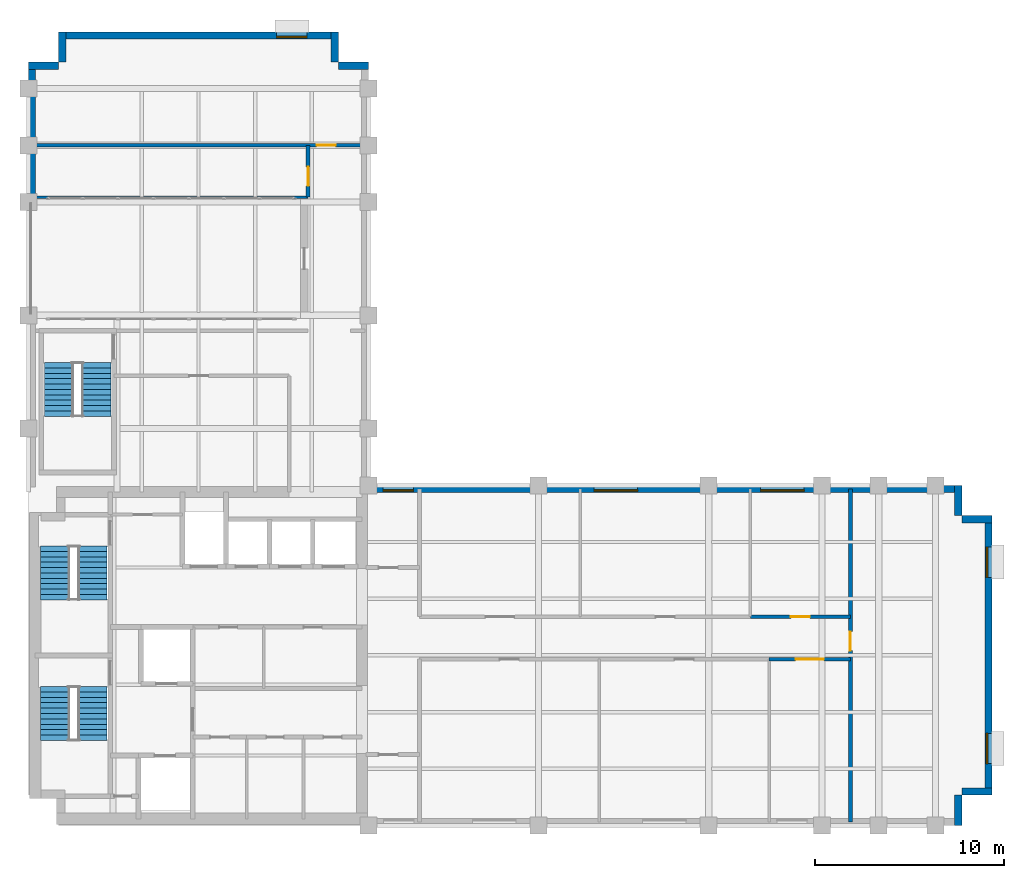
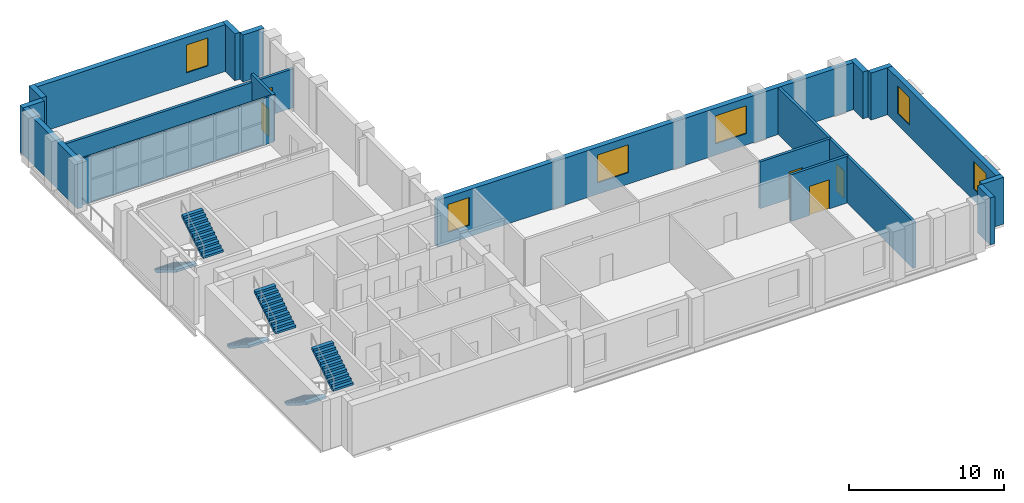
# One storey, part 10 of 11: 18 walls, 6 stair flights, 6 windows, 5 doors, 11 openings, 3 elements without a shape of their own.
"""IFC4 building model written with IfcOpenShell, lengths in metres."""

from ifc_helpers import new_model, si_unit, direction, frame, frame_2d, origin, place, context, subcontext, project, spatial, polyline, rectangle, outline, extrude, material, layer, layer_set, type_object, element, fill, aggregate, save


model = new_model("IFC4")

# Units and contexts
model_context = context("Model", 3, precision=1e-05, world=origin(), true_north=direction((0.0, 1.0)))
body_context = subcontext(model_context, "Body", "Model", "MODEL_VIEW")
ifc_project = project(units=[si_unit("LENGTHUNIT", "METRE"), si_unit("AREAUNIT", "SQUARE_METRE"), si_unit("VOLUMEUNIT", "CUBIC_METRE"), si_unit("PLANEANGLEUNIT", "RADIAN"), si_unit("MASSUNIT", "GRAM", prefix="KILO")], contexts=[model_context])

# Site, building, storey
site_placement = place(None, origin())
site = spatial("IfcSite", under=ifc_project, at=site_placement, CompositionType="ELEMENT")
building_placement = place(site_placement, origin())
building = spatial("IfcBuilding", under=site, at=building_placement, Name="Mawjdan Bourse Tower", CompositionType="ELEMENT")
storey_placement = place(building_placement, frame((0.0, 0.0, 191.699951171875)))
storey = spatial("IfcBuildingStorey", under=building, at=storey_placement, Name="L46", CompositionType="ELEMENT", Elevation=191.699951171875)

# Walls
ifc_material_1 = material(Name="Brick Masonry Terracotta Red", Category="masonry")
ifc_layer_1 = layer(ifc_material_1, 0.3798828125)
ifc_layer_set_1 = layer_set([ifc_layer_1], Name="Brick Masonry Terracotta Red")
wall_type_1 = type_object("IfcWallType", Name="WL-BRK-RED-380", PredefinedType="STANDARD", material=ifc_layer_set_1)
for number, where, z_axis, x_axis, name in (
    (1, (55.2099609375, 3.0, 0.0), (0.0, 0.0, 1.0), (0.0, 1.0, 0.0), "L46 Exterior Brick Wall 2"),
    (2, (55.39990234375, 4.7900390625, 0.0), (0.0, 0.0, 1.0), (1.0, 0.0, 0.0), "L46 Exterior Brick Wall 3"),
):
    element("IfcWall", number, at=place(storey_placement, frame(where, z_axis=z_axis, x_axis=x_axis)), inside=storey, type_object=wall_type_1, Name=name, PredefinedType="STANDARD", context=body_context, shape_type="SweptSolid", body=[
        extrude(rectangle(XDim=1.60009765625, YDim=0.3798828125, at=frame_2d((0.800048828125, 0.0))), origin(), (0.0, 0.0, 1.0), 3.699951171875),
    ])

# Wall, openings, windows
wall_1_placement = place(storey_placement, frame((56.81005859375, 4.60009765625, 0.0), z_axis=(0.0, 0.0, 1.0), x_axis=(0.0, 1.0, 0.0)))
wall_1 = element("IfcWall", 3, at=wall_1_placement, inside=storey, type_object=wall_type_1, Name="L46 Exterior Brick Wall 4", PredefinedType="STANDARD", context=body_context, shape_type="SweptSolid", body=[
    extrude(rectangle(XDim=14.7998046875, YDim=0.3798828125, at=frame_2d((7.39990234375, 0.0))), origin(), (0.0, 0.0, 1.0), 3.699951171875),
])
opening_1_placement = place(wall_1_placement, frame((1.666748046875, 0.0, 0.89990234375)))
opening_1 = element("IfcOpeningElement", 4, at=opening_1_placement, cuts=wall_1, Name="Opening W-L46-03", PredefinedType="OPENING", context=body_context, shape_type="SweptSolid", body=[
    extrude(rectangle(XDim=1.60009765625, YDim=2.199951171875, at=frame_2d((0.800048828125, 1.10009765625))), frame((0.0, 0.199951171875, 0.0), z_axis=(0.0, -1.0, 0.0), x_axis=(1.0, 0.0, 0.0)), (0.0, 0.0, 1.0), 0.39990234375),
])
opening_2_placement = place(wall_1_placement, frame((11.533203125, 0.0, 0.89990234375)))
opening_2 = element("IfcOpeningElement", 5, at=opening_2_placement, cuts=wall_1, Name="Opening W-L46-04", PredefinedType="OPENING", context=body_context, shape_type="SweptSolid", body=[
    extrude(rectangle(XDim=1.60009765625, YDim=2.199951171875, at=frame_2d((0.800048828125, 1.10009765625))), frame((0.0, 0.199951171875, 0.0), z_axis=(0.0, -1.0, 0.0), x_axis=(1.0, 0.0, 0.0)), (0.0, 0.0, 1.0), 0.39990234375),
])
ifc_material_2 = material(Name="Solar-Control Clear Double Glazing", Category="glass")
window_type_1 = type_object("IfcWindowType", Name="WN-Z3-1600", PartitioningType="SINGLE_PANEL", PredefinedType="WINDOW", material=ifc_material_2)
window_1_placement = place(opening_1_placement, origin())
window_1 = element("IfcWindow", 6, at=window_1_placement, inside=storey, type_object=window_type_1, Name="L46 Deep-Set Masonry Window W-L46-03", OverallHeight=2.199951171875, OverallWidth=1.60009765625, PartitioningType="SINGLE_PANEL", PredefinedType="WINDOW", context=body_context, shape_type="SweptSolid", body=[
    extrude(rectangle(XDim=1.60009765625, YDim=2.199951171875, at=frame_2d((0.800048828125, 1.10009765625))), frame((0.0, 0.110107421875, 0.0), z_axis=(0.0, -1.0, 0.0), x_axis=(1.0, 0.0, 0.0)), (0.0, 0.0, 1.0), 0.06005859375),
])
fill(opening_1, window_1)
window_2_placement = place(opening_2_placement, origin())
window_2 = element("IfcWindow", 7, at=window_2_placement, inside=storey, type_object=window_type_1, Name="L46 Deep-Set Masonry Window W-L46-04", OverallHeight=2.199951171875, OverallWidth=1.60009765625, PartitioningType="SINGLE_PANEL", PredefinedType="WINDOW", context=body_context, shape_type="SweptSolid", body=[
    extrude(rectangle(XDim=1.60009765625, YDim=2.199951171875, at=frame_2d((0.800048828125, 1.10009765625))), frame((0.0, 0.110107421875, 0.0), z_axis=(0.0, -1.0, 0.0), x_axis=(1.0, 0.0, 0.0)), (0.0, 0.0, 1.0), 0.06005859375),
])
fill(opening_2, window_2)

# Walls
for number, where, z_axis, x_axis, name in (
    (8, (57.0, 19.2099609375, 0.0), (0.0, 0.0, 1.0), (-1.0, 0.0, 0.0), "L46 Exterior Brick Wall 5"),
    (9, (55.2099609375, 19.39990234375, 0.0), (0.0, 0.0, 1.0), (0.0, 1.0, 0.0), "L46 Exterior Brick Wall 6"),
):
    element("IfcWall", number, at=place(storey_placement, frame(where, z_axis=z_axis, x_axis=x_axis)), inside=storey, type_object=wall_type_1, Name=name, PredefinedType="STANDARD", context=body_context, shape_type="SweptSolid", body=[
        extrude(rectangle(XDim=1.60009765625, YDim=0.3798828125, at=frame_2d((0.800048828125, 0.0))), origin(), (0.0, 0.0, 1.0), 3.699951171875),
    ])

# Wall, openings, windows
wall_2_placement = place(storey_placement, frame((55.39990234375, 20.81005859375, 0.0), z_axis=(0.0, 0.0, 1.0), x_axis=(-1.0, 0.0, 0.0)))
wall_2 = element("IfcWall", 10, at=wall_2_placement, inside=storey, type_object=wall_type_1, Name="L46 Exterior Brick Wall 7", PredefinedType="STANDARD", context=body_context, shape_type="SweptSolid", body=[
    extrude(rectangle(XDim=31.39990234375, YDim=0.3798828125, at=frame_2d((15.699951171875, 0.0))), origin(), (0.0, 0.0, 1.0), 3.699951171875),
])
opening_3_placement = place(wall_2_placement, frame((17.166748046875, 0.0, 0.89990234375)))
opening_3 = element("IfcOpeningElement", 11, at=opening_3_placement, cuts=wall_2, Name="Opening W-L46-05", PredefinedType="OPENING", context=body_context, shape_type="SweptSolid", body=[
    extrude(rectangle(XDim=2.300048828125, YDim=2.199951171875, at=frame_2d((1.14990234375, 1.10009765625))), frame((0.0, 0.199951171875, 0.0), z_axis=(0.0, -1.0, 0.0), x_axis=(1.0, 0.0, 0.0)), (0.0, 0.0, 1.0), 0.39990234375),
])
opening_4_placement = place(wall_2_placement, frame((29.03369140625, 0.0, 0.89990234375)))
opening_4 = element("IfcOpeningElement", 12, at=opening_4_placement, cuts=wall_2, Name="Opening W-L46-08", PredefinedType="OPENING", context=body_context, shape_type="SweptSolid", body=[
    extrude(rectangle(XDim=1.60009765625, YDim=2.199951171875, at=frame_2d((0.800048828125, 1.10009765625))), frame((0.0, 0.199951171875, 0.0), z_axis=(0.0, -1.0, 0.0), x_axis=(1.0, 0.0, 0.0)), (0.0, 0.0, 1.0), 0.39990234375),
])
opening_5_placement = place(wall_2_placement, frame((8.3544921875, 0.0, 0.89990234375)))
opening_5 = element("IfcOpeningElement", 13, at=opening_5_placement, cuts=wall_2, Name="Opening W-L46-10", PredefinedType="OPENING", context=body_context, shape_type="SweptSolid", body=[
    extrude(rectangle(XDim=2.300048828125, YDim=2.199951171875, at=frame_2d((1.14990234375, 1.10009765625))), frame((0.0, 0.199951171875, 0.0), z_axis=(0.0, -1.0, 0.0), x_axis=(1.0, 0.0, 0.0)), (0.0, 0.0, 1.0), 0.39990234375),
])
window_3_placement = place(opening_4_placement, origin())
window_3 = element("IfcWindow", 14, at=window_3_placement, inside=storey, type_object=window_type_1, Name="L46 Deep-Set Masonry Window W-L46-08", OverallHeight=2.199951171875, OverallWidth=1.60009765625, PartitioningType="SINGLE_PANEL", PredefinedType="WINDOW", context=body_context, shape_type="SweptSolid", body=[
    extrude(rectangle(XDim=1.60009765625, YDim=2.199951171875, at=frame_2d((0.800048828125, 1.10009765625))), frame((0.0, 0.110107421875, 0.0), z_axis=(0.0, -1.0, 0.0), x_axis=(1.0, 0.0, 0.0)), (0.0, 0.0, 1.0), 0.06005859375),
])
fill(opening_4, window_3)
window_type_2 = type_object("IfcWindowType", Name="WN-Z3-2300", PartitioningType="SINGLE_PANEL", PredefinedType="WINDOW", material=ifc_material_2)
window_4_placement = place(opening_3_placement, origin())
window_4 = element("IfcWindow", 15, at=window_4_placement, inside=storey, type_object=window_type_2, Name="L46 Deep-Set Masonry Window W-L46-05", OverallHeight=2.199951171875, OverallWidth=2.300048828125, PartitioningType="SINGLE_PANEL", PredefinedType="WINDOW", context=body_context, shape_type="SweptSolid", body=[
    extrude(rectangle(XDim=2.300048828125, YDim=2.199951171875, at=frame_2d((1.14990234375, 1.10009765625))), frame((0.0, 0.110107421875, 0.0), z_axis=(0.0, -1.0, 0.0), x_axis=(1.0, 0.0, 0.0)), (0.0, 0.0, 1.0), 0.06005859375),
])
fill(opening_3, window_4)
window_5_placement = place(opening_5_placement, origin())
window_5 = element("IfcWindow", 16, at=window_5_placement, inside=storey, type_object=window_type_2, Name="L46 Deep-Set Masonry Window W-L46-10", OverallHeight=2.199951171875, OverallWidth=2.300048828125, PartitioningType="SINGLE_PANEL", PredefinedType="WINDOW", context=body_context, shape_type="SweptSolid", body=[
    extrude(rectangle(XDim=2.300048828125, YDim=2.199951171875, at=frame_2d((1.14990234375, 1.10009765625))), frame((0.0, 0.110107421875, 0.0), z_axis=(0.0, -1.0, 0.0), x_axis=(1.0, 0.0, 0.0)), (0.0, 0.0, 1.0), 0.06005859375),
])
fill(opening_5, window_5)

# Walls
for number, where, z_axis, x_axis, name in (
    (17, (24.0, 43.2099609375, 0.0), (0.0, 0.0, 1.0), (-1.0, 0.0, 0.0), "L46 Exterior Brick Wall 9"),
    (18, (22.2099609375, 43.39990234375, 0.0), (0.0, 0.0, 1.0), (0.0, 1.0, 0.0), "L46 Exterior Brick Wall 10"),
):
    element("IfcWall", number, at=place(storey_placement, frame(where, z_axis=z_axis, x_axis=x_axis)), inside=storey, type_object=wall_type_1, Name=name, PredefinedType="STANDARD", context=body_context, shape_type="SweptSolid", body=[
        extrude(rectangle(XDim=1.60009765625, YDim=0.3798828125, at=frame_2d((0.800048828125, 0.0))), origin(), (0.0, 0.0, 1.0), 3.699951171875),
    ])

# Wall, opening, window
wall_3_placement = place(storey_placement, frame((22.39990234375, 44.81005859375, 0.0), z_axis=(0.0, 0.0, 1.0), x_axis=(-1.0, 0.0, 0.0)))
wall_3 = element("IfcWall", 19, at=wall_3_placement, inside=storey, type_object=wall_type_1, Name="L46 Exterior Brick Wall 11", PredefinedType="STANDARD", context=body_context, shape_type="SweptSolid", body=[
    extrude(rectangle(XDim=14.7998046875, YDim=0.3798828125, at=frame_2d((7.39990234375, 0.0))), origin(), (0.0, 0.0, 1.0), 3.699951171875),
])
opening_6_placement = place(wall_3_placement, frame((1.666748046875, 0.0, 0.89990234375)))
opening_6 = element("IfcOpeningElement", 20, at=opening_6_placement, cuts=wall_3, Name="Opening W-L46-06", PredefinedType="OPENING", context=body_context, shape_type="SweptSolid", body=[
    extrude(rectangle(XDim=1.60009765625, YDim=2.199951171875, at=frame_2d((0.800048828125, 1.10009765625))), frame((0.0, 0.199951171875, 0.0), z_axis=(0.0, -1.0, 0.0), x_axis=(1.0, 0.0, 0.0)), (0.0, 0.0, 1.0), 0.39990234375),
])
window_6_placement = place(opening_6_placement, origin())
window_6 = element("IfcWindow", 21, at=window_6_placement, inside=storey, type_object=window_type_1, Name="L46 Deep-Set Masonry Window W-L46-06", OverallHeight=2.199951171875, OverallWidth=1.60009765625, PartitioningType="SINGLE_PANEL", PredefinedType="WINDOW", context=body_context, shape_type="SweptSolid", body=[
    extrude(rectangle(XDim=1.60009765625, YDim=2.199951171875, at=frame_2d((0.800048828125, 1.10009765625))), frame((0.0, 0.110107421875, 0.0), z_axis=(0.0, -1.0, 0.0), x_axis=(1.0, 0.0, 0.0)), (0.0, 0.0, 1.0), 0.06005859375),
])
fill(opening_6, window_6)

# Walls
for number, where, z_axis, x_axis, name in (
    (22, (7.7900390625, 45.0, 0.0), (0.0, 0.0, 1.0), (0.0, -1.0, 0.0), "L46 Exterior Brick Wall 12"),
    (23, (7.60009765625, 43.2099609375, 0.0), (0.0, 0.0, 1.0), (-1.0, 0.0, 0.0), "L46 Exterior Brick Wall 13"),
):
    element("IfcWall", number, at=place(storey_placement, frame(where, z_axis=z_axis, x_axis=x_axis)), inside=storey, type_object=wall_type_1, Name=name, PredefinedType="STANDARD", context=body_context, shape_type="SweptSolid", body=[
        extrude(rectangle(XDim=1.60009765625, YDim=0.3798828125, at=frame_2d((0.800048828125, 0.0))), origin(), (0.0, 0.0, 1.0), 3.699951171875),
    ])
wall_4_placement = place(storey_placement, frame((6.18994140625, 43.39990234375, 0.0), z_axis=(0.0, 0.0, 1.0), x_axis=(0.0, -1.0, 0.0)))
element("IfcWall", 24, at=wall_4_placement, inside=storey, type_object=wall_type_1, Name="L46 Exterior Brick Wall 14", PredefinedType="STANDARD", context=body_context, shape_type="SweptSolid", body=[
    extrude(rectangle(XDim=7.39990234375, YDim=0.3798828125, at=frame_2d((3.699951171875, 0.0))), origin(), (0.0, 0.0, 1.0), 3.699951171875),
])

# Wall, opening, door
ifc_material_3 = material(Name="Gypsum Fireboard Assembly")
ifc_layer_2 = layer(ifc_material_3, 0.199951171875)
ifc_layer_set_2 = layer_set([ifc_layer_2], Name="Gypsum Fireboard Assembly")
wall_type_2 = type_object("IfcWallType", Name="WL-CMP-200", PredefinedType="PARTITIONING", material=ifc_layer_set_2)
wall_5_placement = place(storey_placement, frame((45.199951171875, 11.800048828125, 0.0), z_axis=(0.0, 0.0, 1.0), x_axis=(1.0, 0.0, 0.0)))
wall_5 = element("IfcWall", 25, at=wall_5_placement, inside=storey, type_object=wall_type_2, Name="L46 Conference Room Corridor Wall", PredefinedType="PARTITIONING", context=body_context, shape_type="SweptSolid", body=[
    extrude(rectangle(XDim=4.300048828125, YDim=0.199951171875, at=frame_2d((2.14990234375, 0.0))), origin(), (0.0, 0.0, 1.0), 3.68994140625),
])
opening_7_placement = place(wall_5_placement, frame((1.39990234375, 0.0, 0.0)))
opening_7 = element("IfcOpeningElement", 26, at=opening_7_placement, cuts=wall_5, Name="Opening D-L46-24", PredefinedType="OPENING", context=body_context, shape_type="SweptSolid", body=[
    extrude(rectangle(XDim=1.5, YDim=2.300048828125, at=frame_2d((0.75, 1.14990234375))), frame((0.0, 0.10986328125, 0.0), z_axis=(0.0, -1.0, 0.0), x_axis=(1.0, 0.0, 0.0)), (0.0, 0.0, 1.0), 0.219970703125),
])
ifc_material_4 = material(Name="Acoustic Glazed Timber", Category="wood")
door_type_1 = type_object("IfcDoorType", Name="DR-CNF-1500", OperationType="DOUBLE_DOOR_SINGLE_SWING", PredefinedType="DOOR", material=ifc_material_4)
door_1_placement = place(opening_7_placement, origin())
door_1 = element("IfcDoor", 27, at=door_1_placement, inside=storey, type_object=door_type_1, Name="L46 Conference Room Door D-L46-24", OperationType="DOUBLE_DOOR_SINGLE_SWING", OverallHeight=2.300048828125, OverallWidth=1.5, PredefinedType="DOOR", context=body_context, shape_type="SweptSolid", body=[
    extrude(rectangle(XDim=1.5, YDim=2.300048828125, at=frame_2d((0.75, 1.14990234375))), frame((0.0, 0.02490234375, 0.0), z_axis=(0.0, -1.0, 0.0), x_axis=(1.0, 0.0, 0.0)), (0.0, 0.0, 1.0), 0.050048828125),
])
fill(opening_7, door_1)

wall_6_placement = place(storey_placement, frame((44.199951171875, 14.050048828125, 0.0), z_axis=(0.0, 0.0, 1.0), x_axis=(1.0, 0.0, 0.0)))
wall_6 = element("IfcWall", 28, at=wall_6_placement, inside=storey, type_object=wall_type_2, Name="L46 Archive Room Corridor Wall", PredefinedType="PARTITIONING", context=body_context, shape_type="SweptSolid", body=[
    extrude(rectangle(XDim=5.300048828125, YDim=0.199951171875, at=frame_2d((2.64990234375, 0.0))), origin(), (0.0, 0.0, 1.0), 3.68994140625),
])
opening_8_placement = place(wall_6_placement, frame((2.14990234375, 0.0, 0.0)))
opening_8 = element("IfcOpeningElement", 29, at=opening_8_placement, cuts=wall_6, Name="Opening D-L46-27", PredefinedType="OPENING", context=body_context, shape_type="SweptSolid", body=[
    extrude(rectangle(XDim=1.0, YDim=2.14990234375, at=frame_2d((0.5, 1.074951171875))), frame((0.0, 0.10986328125, 0.0), z_axis=(0.0, -1.0, 0.0), x_axis=(1.0, 0.0, 0.0)), (0.0, 0.0, 1.0), 0.219970703125),
])
ifc_material_5 = material(Name="Hardwood Acoustic Leaf", Category="wood")
door_type_2 = type_object("IfcDoorType", Name="DR-OFC-1000", OperationType="NOTDEFINED", PredefinedType="DOOR", material=ifc_material_5)
door_2_placement = place(opening_8_placement, origin())
door_2 = element("IfcDoor", 30, at=door_2_placement, inside=storey, type_object=door_type_2, Name="L46 Archive Room Door D-L46-27", OperationType="SINGLE_SWING_LEFT", OverallHeight=2.14990234375, OverallWidth=1.0, PredefinedType="DOOR", context=body_context, shape_type="SweptSolid", body=[
    extrude(rectangle(XDim=1.0, YDim=2.14990234375, at=frame_2d((0.5, 1.074951171875))), frame((0.0, 0.02490234375, 0.0), z_axis=(0.0, -1.0, 0.0), x_axis=(1.0, 0.0, 0.0)), (0.0, 0.0, 1.0), 0.050048828125),
])
fill(opening_8, door_2)

wall_7_placement = place(storey_placement, frame((49.5, 3.179931640625, 0.0), z_axis=(0.0, 0.0, 1.0), x_axis=(0.0, 1.0, 0.0)))
wall_7 = element("IfcWall", 31, at=wall_7_placement, inside=storey, type_object=wall_type_2, Name="L46 East Tip Full Cross Wall", PredefinedType="PARTITIONING", context=body_context, shape_type="SweptSolid", body=[
    extrude(rectangle(XDim=17.64013671875, YDim=0.199951171875, at=frame_2d((8.820068359375, 0.0))), origin(), (0.0, 0.0, 1.0), 3.68994140625),
])
opening_9_placement = place(wall_7_placement, frame((9.074951171875, 0.0, 0.0)))
opening_9 = element("IfcOpeningElement", 32, at=opening_9_placement, cuts=wall_7, Name="Opening D-L46-28", PredefinedType="OPENING", context=body_context, shape_type="SweptSolid", body=[
    extrude(rectangle(XDim=1.0, YDim=2.14990234375, at=frame_2d((0.5, 1.074951171875))), frame((0.0, 0.10986328125, 0.0), z_axis=(0.0, -1.0, 0.0), x_axis=(1.0, 0.0, 0.0)), (0.0, 0.0, 1.0), 0.219970703125),
])
door_3_placement = place(opening_9_placement, origin())
door_3 = element("IfcDoor", 33, at=door_3_placement, inside=storey, type_object=door_type_2, Name="L46 East Tip Hall Door D-L46-28", OperationType="SINGLE_SWING_RIGHT", OverallHeight=2.14990234375, OverallWidth=1.0, PredefinedType="DOOR", context=body_context, shape_type="SweptSolid", body=[
    extrude(rectangle(XDim=1.0, YDim=2.14990234375, at=frame_2d((0.5, 1.074951171875))), frame((0.0, 0.02490234375, 0.0), z_axis=(0.0, -1.0, 0.0), x_axis=(1.0, 0.0, 0.0)), (0.0, 0.0, 1.0), 0.050048828125),
])
fill(opening_9, door_3)

wall_8_placement = place(storey_placement, frame((20.800048828125, 36.25, 0.0), z_axis=(0.0, 0.0, 1.0), x_axis=(0.0, 1.0, 0.0)))
wall_8 = element("IfcWall", 34, at=wall_8_placement, inside=storey, type_object=wall_type_2, Name="L46 North Portal Outer Corridor Wall", PredefinedType="PARTITIONING", context=body_context, shape_type="SweptSolid", body=[
    extrude(rectangle(XDim=2.75, YDim=0.199951171875, at=frame_2d((1.375, 0.0))), origin(), (0.0, 0.0, 1.0), 3.68994140625),
])
opening_10_placement = place(wall_8_placement, frame((0.60009765625, 0.0, 0.0)))
opening_10 = element("IfcOpeningElement", 35, at=opening_10_placement, cuts=wall_8, Name="Opening D-L46-30", PredefinedType="OPENING", context=body_context, shape_type="SweptSolid", body=[
    extrude(rectangle(XDim=1.0, YDim=2.14990234375, at=frame_2d((0.5, 1.074951171875))), frame((0.0, 0.10986328125, 0.0), z_axis=(0.0, -1.0, 0.0), x_axis=(1.0, 0.0, 0.0)), (0.0, 0.0, 1.0), 0.219970703125),
])
door_4_placement = place(opening_10_placement, origin())
door_4 = element("IfcDoor", 36, at=door_4_placement, inside=storey, type_object=door_type_2, Name="L46 North Portal Outer Suite Door D-L46-30", OperationType="SINGLE_SWING_RIGHT", OverallHeight=2.14990234375, OverallWidth=1.0, PredefinedType="DOOR", context=body_context, shape_type="SweptSolid", body=[
    extrude(rectangle(XDim=1.0, YDim=2.14990234375, at=frame_2d((0.5, 1.074951171875))), frame((0.0, 0.02490234375, 0.0), z_axis=(0.0, -1.0, 0.0), x_axis=(1.0, 0.0, 0.0)), (0.0, 0.0, 1.0), 0.050048828125),
])
fill(opening_10, door_4)

wall_9_placement = place(storey_placement, frame((6.179931640625, 39.0, 0.0), z_axis=(0.0, 0.0, 1.0), x_axis=(1.0, 0.0, 0.0)))
wall_9 = element("IfcWall", 37, at=wall_9_placement, inside=storey, type_object=wall_type_2, Name="L46 North Tip Full Cross Wall", PredefinedType="PARTITIONING", context=body_context, shape_type="SweptSolid", body=[
    extrude(rectangle(XDim=17.64013671875, YDim=0.199951171875, at=frame_2d((8.820068359375, 0.0))), origin(), (0.0, 0.0, 1.0), 3.072998046875),
])
opening_11_placement = place(wall_9_placement, frame((15.074951171875, 0.0, 0.0)))
opening_11 = element("IfcOpeningElement", 38, at=opening_11_placement, cuts=wall_9, Name="Opening D-L46-31", PredefinedType="OPENING", context=body_context, shape_type="SweptSolid", body=[
    extrude(rectangle(XDim=1.0, YDim=2.14990234375, at=frame_2d((0.5, 1.074951171875))), frame((0.0, 0.10986328125, 0.0), z_axis=(0.0, -1.0, 0.0), x_axis=(1.0, 0.0, 0.0)), (0.0, 0.0, 1.0), 0.219970703125),
])
door_5_placement = place(opening_11_placement, origin())
door_5 = element("IfcDoor", 39, at=door_5_placement, inside=storey, type_object=door_type_2, Name="L46 North Tip Suite Door D-L46-31", OperationType="SINGLE_SWING_LEFT", OverallHeight=2.14990234375, OverallWidth=1.0, PredefinedType="DOOR", context=body_context, shape_type="SweptSolid", body=[
    extrude(rectangle(XDim=1.0, YDim=2.14990234375, at=frame_2d((0.5, 1.074951171875))), frame((0.0, 0.02490234375, 0.0), z_axis=(0.0, -1.0, 0.0), x_axis=(1.0, 0.0, 0.0)), (0.0, 0.0, 1.0), 0.050048828125),
])
fill(opening_11, door_5)

# Wall
ifc_material_6 = material(Name="Gypsum Partition")
ifc_layer_3 = layer(ifc_material_6, 0.125)
ifc_layer_set_3 = layer_set([ifc_layer_3], Name="Gypsum Partition")
wall_type_3 = type_object("IfcWallType", Name="WL-PRT-125", PredefinedType="PARTITIONING", material=ifc_layer_set_3)
wall_10_placement = place(storey_placement, frame((6.179931640625, 36.25, 0.0), z_axis=(0.0, 0.0, 1.0), x_axis=(1.0, 0.0, 0.0)))
element("IfcWall", 40, at=wall_10_placement, inside=storey, type_object=wall_type_3, Name="L46 North Portal North Cheek Wall", PredefinedType="PARTITIONING", context=body_context, shape_type="SweptSolid", body=[
    extrude(rectangle(XDim=14.6201171875, YDim=0.125, at=frame_2d((7.31005859375, 0.0))), origin(), (0.0, 0.0, 1.0), 3.68994140625),
])

# Stair, stair flights
ifc_material_7 = material(Name="Concrete C50/60", Category="concrete")
stair_type = type_object("IfcStairType", Name="STR-CORE-1500", PredefinedType="HALF_TURN_STAIR", material=ifc_material_7)
stair_1_placement = place(storey_placement, origin())
stair_1 = element("IfcStair", 41, at=stair_1_placement, inside=storey, type_object=stair_type, Name="L46 Exit Stair 1 (Core South-West)", PredefinedType="HALF_TURN_STAIR")
stair_flight_type = type_object("IfcStairFlightType", Name="SFL-RC-1500", PredefinedType="STRAIGHT", material=ifc_material_7)
stair_flight_1_placement = place(storey_placement, frame((7.389892578125, 10.35009765625, 0.0), z_axis=(0.0, 0.0, 1.0), x_axis=(0.0, -1.0, 0.0)))
stair_flight_1 = element("IfcStairFlight", 42, at=stair_flight_1_placement, type_object=stair_flight_type, Name="ST1-L46 flight 1", NumberOfRisers=11, NumberOfTreads=10, PredefinedType="STRAIGHT", RiserHeight=0.177273, TreadLength=0.285, context=body_context, shape_type="SweptSolid", body=[
    extrude(outline(polyline([(0.0, 0.0), (0.0, 0.17724609375), (0.284912109375, 0.17724609375), (0.284912109375, 0.3544921875), (0.570068359375, 0.3544921875), (0.570068359375, 0.53173828125), (0.85498046875, 0.53173828125), (0.85498046875, 0.708984375), (1.139892578125, 0.708984375), (1.139892578125, 0.886474609375), (1.425048828125, 0.886474609375), (1.425048828125, 1.063720703125), (1.7099609375, 1.063720703125), (1.7099609375, 1.240966796875), (1.9951171875, 1.240966796875), (1.9951171875, 1.418212890625), (2.280029296875, 1.418212890625), (2.280029296875, 1.595458984375), (2.56494140625, 1.595458984375), (2.56494140625, 1.772705078125), (2.85009765625, 1.772705078125), (2.85009765625, 1.949951171875), (2.85009765625, 1.58447265625), (0.302734375, 0.0), (0.0, 0.0)])), frame((0.0, 0.75, 0.0), z_axis=(0.0, -1.0, 0.0), x_axis=(1.0, 0.0, 0.0)), (0.0, 0.0, 1.0), 1.5),
])
stair_flight_2_placement = place(storey_placement, frame((9.409912109375, 7.5, 1.949951171875), z_axis=(0.0, 0.0, 1.0), x_axis=(0.0, 1.0, 0.0)))
stair_flight_2 = element("IfcStairFlight", 43, at=stair_flight_2_placement, type_object=stair_flight_type, Name="ST1-L46 flight 2", NumberOfRisers=11, NumberOfTreads=10, PredefinedType="STRAIGHT", RiserHeight=0.177273, TreadLength=0.285, context=body_context, shape_type="SweptSolid", body=[
    extrude(outline(polyline([(0.0, 0.0), (0.0, 0.17724609375), (0.284912109375, 0.17724609375), (0.284912109375, 0.3544921875), (0.570068359375, 0.3544921875), (0.570068359375, 0.53173828125), (0.85498046875, 0.53173828125), (0.85498046875, 0.708984375), (1.139892578125, 0.708984375), (1.139892578125, 0.886474609375), (1.425048828125, 0.886474609375), (1.425048828125, 1.063720703125), (1.7099609375, 1.063720703125), (1.7099609375, 1.240966796875), (1.9951171875, 1.240966796875), (1.9951171875, 1.418212890625), (2.280029296875, 1.418212890625), (2.280029296875, 1.595458984375), (2.56494140625, 1.595458984375), (2.56494140625, 1.772705078125), (2.85009765625, 1.772705078125), (2.85009765625, 1.949951171875), (2.85009765625, 1.58447265625), (0.302734375, 0.0), (0.0, 0.0)])), frame((0.0, 0.75, 0.0), z_axis=(0.0, -1.0, 0.0), x_axis=(1.0, 0.0, 0.0)), (0.0, 0.0, 1.0), 1.5),
])
aggregate(stair_1, [stair_flight_1, stair_flight_2])

stair_2_placement = place(storey_placement, origin())
stair_2 = element("IfcStair", 44, at=stair_2_placement, inside=storey, type_object=stair_type, Name="L46 Exit Stair 2 (Core North-West)", PredefinedType="HALF_TURN_STAIR")
stair_flight_3_placement = place(storey_placement, frame((7.389892578125, 17.7900390625, 0.0), z_axis=(0.0, 0.0, 1.0), x_axis=(0.0, -1.0, 0.0)))
stair_flight_3 = element("IfcStairFlight", 45, at=stair_flight_3_placement, type_object=stair_flight_type, Name="ST2-L46 flight 1", NumberOfRisers=11, NumberOfTreads=10, PredefinedType="STRAIGHT", RiserHeight=0.177273, TreadLength=0.285, context=body_context, shape_type="SweptSolid", body=[
    extrude(outline(polyline([(0.0, 0.0), (0.0, 0.17724609375), (0.284912109375, 0.17724609375), (0.284912109375, 0.3544921875), (0.570068359375, 0.3544921875), (0.570068359375, 0.53173828125), (0.85498046875, 0.53173828125), (0.85498046875, 0.708984375), (1.139892578125, 0.708984375), (1.139892578125, 0.886474609375), (1.425048828125, 0.886474609375), (1.425048828125, 1.063720703125), (1.7099609375, 1.063720703125), (1.7099609375, 1.240966796875), (1.9951171875, 1.240966796875), (1.9951171875, 1.418212890625), (2.280029296875, 1.418212890625), (2.280029296875, 1.595458984375), (2.56494140625, 1.595458984375), (2.56494140625, 1.772705078125), (2.85009765625, 1.772705078125), (2.85009765625, 1.949951171875), (2.85009765625, 1.58447265625), (0.302734375, 0.0), (0.0, 0.0)])), frame((0.0, 0.75, 0.0), z_axis=(0.0, -1.0, 0.0), x_axis=(1.0, 0.0, 0.0)), (0.0, 0.0, 1.0), 1.5),
])
stair_flight_4_placement = place(storey_placement, frame((9.409912109375, 14.93994140625, 1.949951171875), z_axis=(0.0, 0.0, 1.0), x_axis=(0.0, 1.0, 0.0)))
stair_flight_4 = element("IfcStairFlight", 46, at=stair_flight_4_placement, type_object=stair_flight_type, Name="ST2-L46 flight 2", NumberOfRisers=11, NumberOfTreads=10, PredefinedType="STRAIGHT", RiserHeight=0.177273, TreadLength=0.285, context=body_context, shape_type="SweptSolid", body=[
    extrude(outline(polyline([(0.0, 0.0), (0.0, 0.17724609375), (0.284912109375, 0.17724609375), (0.284912109375, 0.3544921875), (0.570068359375, 0.3544921875), (0.570068359375, 0.53173828125), (0.85498046875, 0.53173828125), (0.85498046875, 0.708984375), (1.139892578125, 0.708984375), (1.139892578125, 0.886474609375), (1.425048828125, 0.886474609375), (1.425048828125, 1.063720703125), (1.7099609375, 1.063720703125), (1.7099609375, 1.240966796875), (1.9951171875, 1.240966796875), (1.9951171875, 1.418212890625), (2.280029296875, 1.418212890625), (2.280029296875, 1.595458984375), (2.56494140625, 1.595458984375), (2.56494140625, 1.772705078125), (2.85009765625, 1.772705078125), (2.85009765625, 1.949951171875), (2.85009765625, 1.58447265625), (0.302734375, 0.0), (0.0, 0.0)])), frame((0.0, 0.75, 0.0), z_axis=(0.0, -1.0, 0.0), x_axis=(1.0, 0.0, 0.0)), (0.0, 0.0, 1.0), 1.5),
])
aggregate(stair_2, [stair_flight_3, stair_flight_4])

stair_3_placement = place(storey_placement, origin())
stair_3 = element("IfcStair", 47, at=stair_3_placement, inside=storey, type_object=stair_type, Name="L46 Exit Stair 3 (North Wing)", PredefinedType="HALF_TURN_STAIR")
stair_flight_5_placement = place(storey_placement, frame((7.590087890625, 27.5, 0.0), z_axis=(0.0, 0.0, 1.0), x_axis=(0.0, -1.0, 0.0)))
stair_flight_5 = element("IfcStairFlight", 48, at=stair_flight_5_placement, type_object=stair_flight_type, Name="ST3-L46 flight 1", NumberOfRisers=11, NumberOfTreads=10, PredefinedType="STRAIGHT", RiserHeight=0.177273, TreadLength=0.285, context=body_context, shape_type="SweptSolid", body=[
    extrude(outline(polyline([(0.0, 0.0), (0.0, 0.17724609375), (0.284912109375, 0.17724609375), (0.284912109375, 0.3544921875), (0.570068359375, 0.3544921875), (0.570068359375, 0.53173828125), (0.85498046875, 0.53173828125), (0.85498046875, 0.708984375), (1.139892578125, 0.708984375), (1.139892578125, 0.886474609375), (1.425048828125, 0.886474609375), (1.425048828125, 1.063720703125), (1.7099609375, 1.063720703125), (1.7099609375, 1.240966796875), (1.9951171875, 1.240966796875), (1.9951171875, 1.418212890625), (2.280029296875, 1.418212890625), (2.280029296875, 1.595458984375), (2.56494140625, 1.595458984375), (2.56494140625, 1.772705078125), (2.85009765625, 1.772705078125), (2.85009765625, 1.949951171875), (2.85009765625, 1.58447265625), (0.302734375, 0.0), (0.0, 0.0)])), frame((0.0, 0.75, 0.0), z_axis=(0.0, -1.0, 0.0), x_axis=(1.0, 0.0, 0.0)), (0.0, 0.0, 1.0), 1.5),
])
stair_flight_6_placement = place(storey_placement, frame((9.610107421875, 24.64990234375, 1.949951171875), z_axis=(0.0, 0.0, 1.0), x_axis=(0.0, 1.0, 0.0)))
stair_flight_6 = element("IfcStairFlight", 49, at=stair_flight_6_placement, type_object=stair_flight_type, Name="ST3-L46 flight 2", NumberOfRisers=11, NumberOfTreads=10, PredefinedType="STRAIGHT", RiserHeight=0.177273, TreadLength=0.285, context=body_context, shape_type="SweptSolid", body=[
    extrude(outline(polyline([(0.0, 0.0), (0.0, 0.17724609375), (0.284912109375, 0.17724609375), (0.284912109375, 0.3544921875), (0.570068359375, 0.3544921875), (0.570068359375, 0.53173828125), (0.85498046875, 0.53173828125), (0.85498046875, 0.708984375), (1.139892578125, 0.708984375), (1.139892578125, 0.886474609375), (1.425048828125, 0.886474609375), (1.425048828125, 1.063720703125), (1.7099609375, 1.063720703125), (1.7099609375, 1.240966796875), (1.9951171875, 1.240966796875), (1.9951171875, 1.418212890625), (2.280029296875, 1.418212890625), (2.280029296875, 1.595458984375), (2.56494140625, 1.595458984375), (2.56494140625, 1.772705078125), (2.85009765625, 1.772705078125), (2.85009765625, 1.949951171875), (2.85009765625, 1.58447265625), (0.302734375, 0.0), (0.0, 0.0)])), frame((0.0, 0.75, 0.0), z_axis=(0.0, -1.0, 0.0), x_axis=(1.0, 0.0, 0.0)), (0.0, 0.0, 1.0), 1.5),
])
aggregate(stair_3, [stair_flight_5, stair_flight_6])

save(model, "model.ifc")
